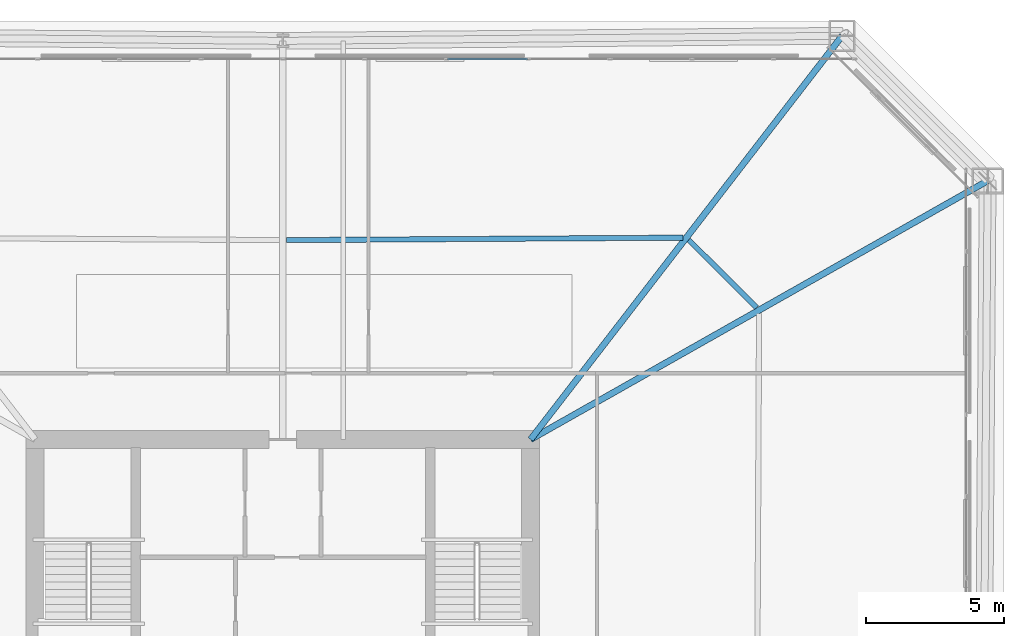
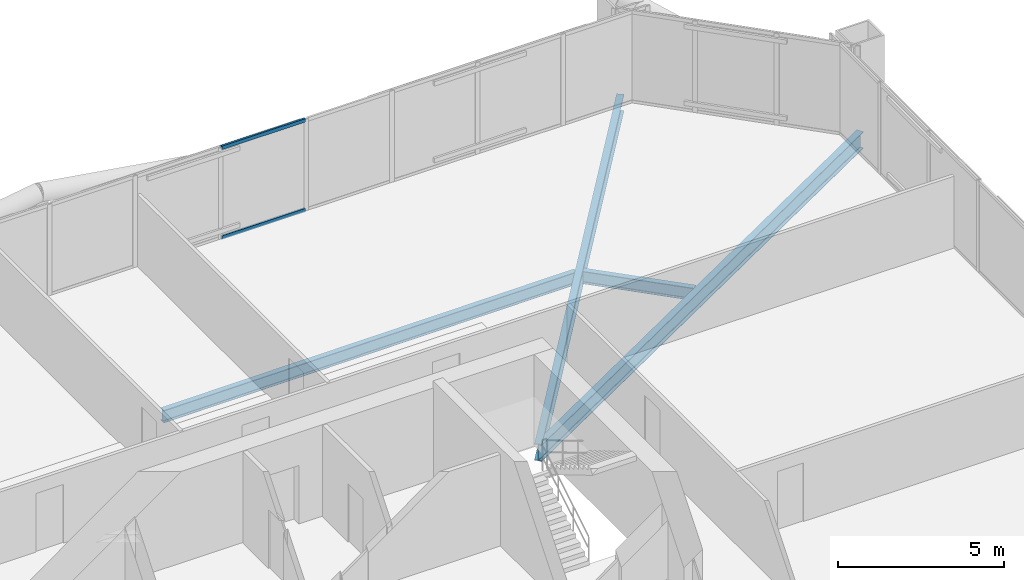
# One storey, part 37 of 50: 4 beams, 2 members, 1 element without a shape of its own.
"""IFC4 building model written with IfcOpenShell, lengths in metres."""

from ifc_helpers import new_model, si_unit, direction, frame, origin, origin_2d, place, context, subcontext, project, spatial, hollow_rectangle, i_section, extrude, material, layer, layer_set, material_profile, profile_set, type_object, element, aggregate, save


model = new_model("IFC4")

# Units and contexts
model_context = context("Model", 3, precision=1e-05, world=origin(), true_north=direction((0.0, 1.0)))
body_context = subcontext(model_context, "Body", "Model", "MODEL_VIEW")
ifc_project = project(units=[si_unit("LENGTHUNIT", "METRE"), si_unit("AREAUNIT", "SQUARE_METRE"), si_unit("VOLUMEUNIT", "CUBIC_METRE"), si_unit("PLANEANGLEUNIT", "RADIAN"), si_unit("MASSUNIT", "GRAM", prefix="KILO")], contexts=[model_context])

# Site, building, storey
site_placement = place(None, origin())
site = spatial("IfcSite", under=ifc_project, at=site_placement, CompositionType="ELEMENT")
building_placement = place(site_placement, origin())
building = spatial("IfcBuilding", under=site, at=building_placement, Name="Caelvoria Tower", CompositionType="ELEMENT")
storey_placement = place(building_placement, frame((0.0, 0.0, 71.199951171875)))
storey = spatial("IfcBuildingStorey", under=building, at=storey_placement, Name="L18", CompositionType="ELEMENT", Elevation=71.199951171875)

# Curtain wall, members
ifc_material_1 = material(Name="Anodised Bronze Aluminium and Low-E Glass", Category="aluminium")
ifc_layer = layer(ifc_material_1, 0.18505859375, Name="Anodised Bronze Aluminium and Low-E Glass")
ifc_layer_set = layer_set([ifc_layer], Name="CW System 2 Lower Tower Bronze Unitised Facade - Anodised Bronze Aluminium and Low-E Glass")
curtain_wall_type = type_object("IfcCurtainWallType", Name="CW System 2 Lower Tower Bronze Unitised Facade", PredefinedType="NOTDEFINED", material=ifc_layer_set)
curtain_wall_placement = place(storey_placement, origin())
curtain_wall = element("IfcCurtainWall", 1, at=curtain_wall_placement, inside=storey, type_object=curtain_wall_type, Name="CW-02 Curtain Wall L18-E4", PredefinedType="NOTDEFINED")
ifc_material_2 = material(Name="Anodised Bronze Architectural Aluminium", Category="aluminium")
ifc_material_profile_1 = material_profile(ifc_material_2, hollow_rectangle(XDim=0.06494140625, YDim=0.1298828125, WallThickness=0.00341796875, at=origin_2d()), Name="Anodised Bronze Architectural Aluminium")
ifc_profile_set_1 = profile_set([ifc_material_profile_1], Name="CW_TRAN_65X130 - Anodised Bronze Architectural Aluminium")
member_type = type_object("IfcMemberType", Name="Curtain Wall Transom 65x130 Bronze Aluminium", PredefinedType="USERDEFINED", material=ifc_profile_set_1)
member_1_placement = place(storey_placement, frame((54.8818359375, 53.820068359375, 0.032470703125), z_axis=(-1.0, 0.0, 0.0), x_axis=(0.0, -1.0, 0.0)))
member_1 = element("IfcMember", 2, at=member_1_placement, type_object=member_type, Name="CW-02 transom 5.1", ObjectType="TRANSOM", PredefinedType="USERDEFINED", context=body_context, shape_type="SweptSolid", body=[
    extrude(hollow_rectangle(XDim=0.06494140625, YDim=0.1298828125, WallThickness=0.00341796875, at=origin_2d()), origin(), (0.0, 0.0, 1.0), 2.906494140625),
])
member_2_placement = place(storey_placement, frame((54.8818359375, 53.820068359375, 3.32763671875), z_axis=(-1.0, 0.0, 0.0), x_axis=(0.0, -1.0, 0.0)))
member_2 = element("IfcMember", 3, at=member_2_placement, type_object=member_type, Name="CW-02 transom 5.2", ObjectType="TRANSOM", PredefinedType="USERDEFINED", context=body_context, shape_type="SweptSolid", body=[
    extrude(hollow_rectangle(XDim=0.06494140625, YDim=0.1298828125, WallThickness=0.00341796875, at=origin_2d()), origin(), (0.0, 0.0, 1.0), 2.906494140625),
])
aggregate(curtain_wall, [member_1, member_2])

# Beams
ifc_material_3 = material(Name="Structural Steel ASTM A992 Gr.50", Category="steel")
ifc_material_profile_2 = material_profile(ifc_material_3, i_section(OverallWidth=0.22900390625, OverallDepth=0.612060546875, WebThickness=0.011962890625, FlangeThickness=0.01953125, FilletRadius=0.01806640625, at=origin_2d()), Name="Structural Steel ASTM A992 Gr.50")
ifc_profile_set_2 = profile_set([ifc_material_profile_2], Name="W610X125 - Structural Steel ASTM A992 Gr.50")
beam_type_1 = type_object("IfcBeamType", Name="Primary Radial Floor Girder W610X125", PredefinedType="BEAM", material=ifc_profile_set_2)
beam_1_placement = place(storey_placement, frame((55.0, 40.0, -0.5458984375), z_axis=(0.870330127245, 0.492468749881, 0.0), x_axis=(-0.492468749881, 0.870330127245, 0.0)))
element("IfcBeam", 4, at=beam_1_placement, inside=storey, type_object=beam_type_1, Name="Primary Floor Girder L18-05", PredefinedType="BEAM", context=body_context, shape_type="SweptSolid", body=[
    extrude(i_section(OverallWidth=0.22900390625, OverallDepth=0.612060546875, WebThickness=0.011962890625, FlangeThickness=0.01953125, FilletRadius=0.01806640625, at=origin_2d()), origin(), (0.0, 0.0, 1.0), 19.078369140625),
])
beam_2_placement = place(storey_placement, frame((55.0, 40.0, -0.5458984375), z_axis=(0.611048700367, 0.791593005136, 0.0), x_axis=(-0.791593005136, 0.611048700367, 0.0)))
element("IfcBeam", 5, at=beam_2_placement, inside=storey, type_object=beam_type_1, Name="Primary Floor Girder L18-06", PredefinedType="BEAM", context=body_context, shape_type="SweptSolid", body=[
    extrude(i_section(OverallWidth=0.22900390625, OverallDepth=0.612060546875, WebThickness=0.011962890625, FlangeThickness=0.01953125, FilletRadius=0.01806640625, at=origin_2d()), origin(), (0.0, 0.0, 1.0), 18.5244140625),
])
ifc_material_profile_3 = material_profile(ifc_material_3, i_section(OverallWidth=0.18994140625, OverallDepth=0.45703125, WebThickness=0.009033203125, FlangeThickness=0.014404296875, FilletRadius=0.014892578125, at=origin_2d()), Name="Structural Steel ASTM A992 Gr.50")
ifc_profile_set_3 = profile_set([ifc_material_profile_3], Name="W460X74 - Structural Steel ASTM A992 Gr.50")
beam_type_2 = type_object("IfcBeamType", Name="Secondary Floor Beam W460X74", PredefinedType="BEAM", material=ifc_profile_set_3)
beam_3_placement = place(storey_placement, frame((63.213623046875, 44.785888671875, -0.468505859375), z_axis=(-0.708192991705, 0.706018899534, 0.0), x_axis=(-0.706018899534, -0.708192991705, 0.0)))
element("IfcBeam", 6, at=beam_3_placement, inside=storey, type_object=beam_type_2, Name="Secondary Floor Beam L18-05", PredefinedType="BEAM", context=body_context, shape_type="SweptSolid", body=[
    extrude(i_section(OverallWidth=0.18994140625, OverallDepth=0.45703125, WebThickness=0.009033203125, FlangeThickness=0.014404296875, FilletRadius=0.014892578125, at=origin_2d()), origin(), (0.0, 0.0, 1.0), 3.481201171875),
])
beam_4_placement = place(storey_placement, frame((60.53466796875, 47.3310546875, -0.468505859375), z_axis=(-0.999980351346, -0.006268725729, 0.0), x_axis=(0.006268725729, -0.999980351346, 0.0)))
element("IfcBeam", 7, at=beam_4_placement, inside=storey, type_object=beam_type_2, Name="Secondary Floor Beam L18-06", PredefinedType="BEAM", context=body_context, shape_type="SweptSolid", body=[
    extrude(i_section(OverallWidth=0.18994140625, OverallDepth=0.45703125, WebThickness=0.009033203125, FlangeThickness=0.014404296875, FilletRadius=0.014892578125, at=origin_2d()), origin(), (0.0, 0.0, 1.0), 14.409912109375),
])

save(model, "model.ifc")
